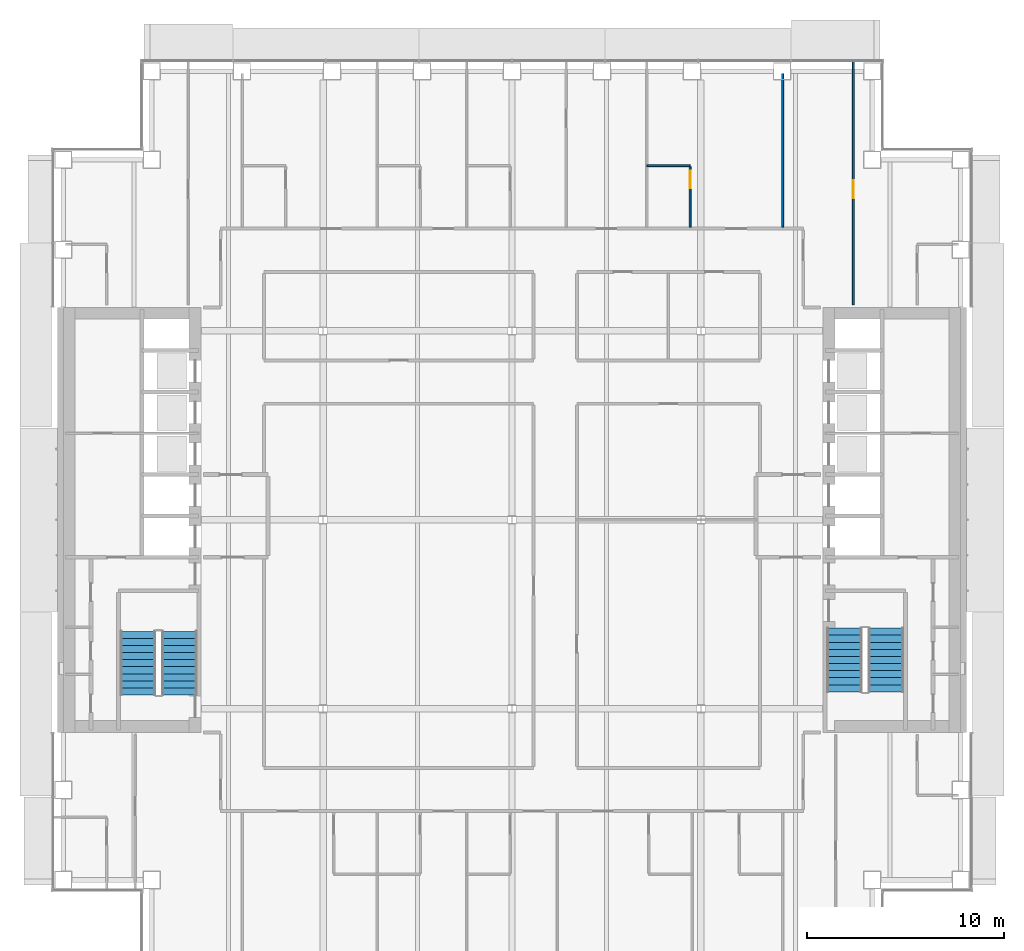
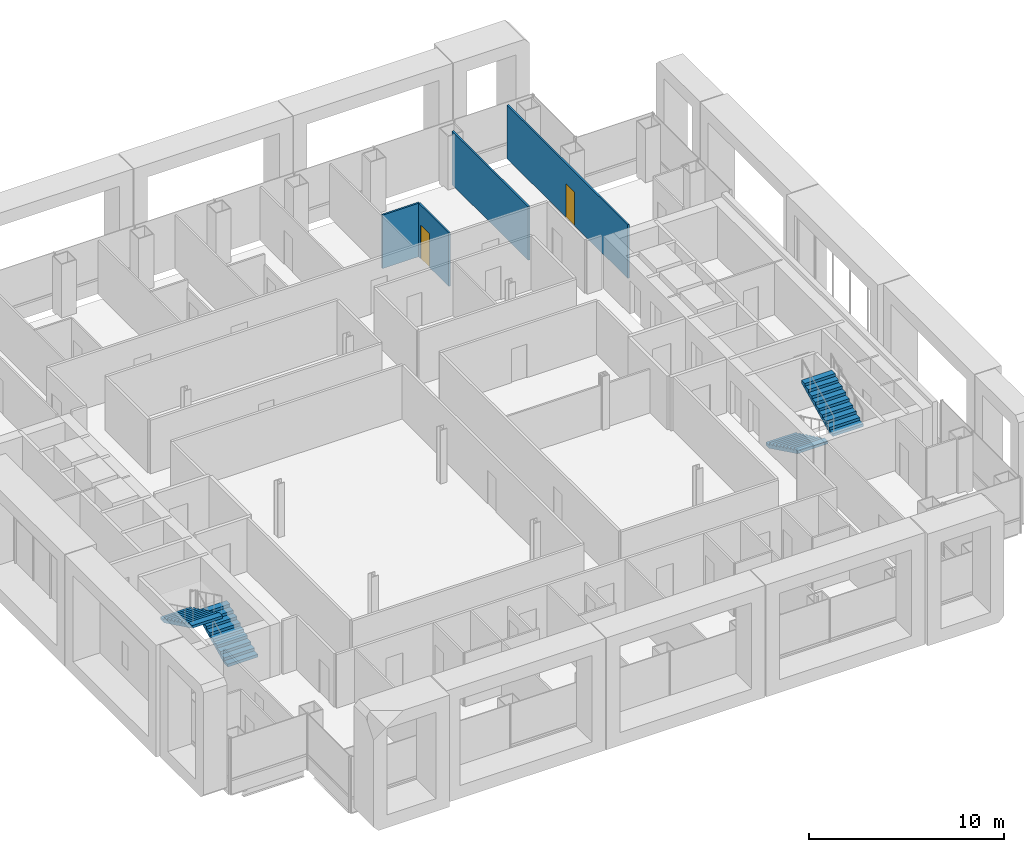
# One storey, part 14 of 20: 4 stair flights, 4 walls, 2 doors, 2 openings, 2 elements without a shape of their own.
"""IFC4 building model written with IfcOpenShell, lengths in metres."""

from ifc_helpers import new_model, si_unit, direction, frame, frame_2d, origin, place, context, subcontext, project, spatial, polyline, rectangle, outline, extrude, material, layer, layer_set, type_object, element, fill, aggregate, save


model = new_model("IFC4")

# Units and contexts
model_context = context("Model", 3, precision=1e-05, world=origin(), true_north=direction((0.0, 1.0)))
body_context = subcontext(model_context, "Body", "Model", "MODEL_VIEW")
ifc_project = project(units=[si_unit("LENGTHUNIT", "METRE"), si_unit("AREAUNIT", "SQUARE_METRE"), si_unit("VOLUMEUNIT", "CUBIC_METRE"), si_unit("PLANEANGLEUNIT", "RADIAN"), si_unit("MASSUNIT", "GRAM", prefix="KILO")], contexts=[model_context])

# Site, building, storey
site_placement = place(None, origin())
site = spatial("IfcSite", under=ifc_project, at=site_placement, CompositionType="ELEMENT")
building_placement = place(site_placement, origin())
building = spatial("IfcBuilding", under=site, at=building_placement, Name="Cobrizo Arcos Hotel Tower", CompositionType="ELEMENT")
storey_placement = place(building_placement, frame((0.0, 0.0, 96.0)))
storey = spatial("IfcBuildingStorey", under=building, at=storey_placement, Name="L23", CompositionType="ELEMENT", Elevation=96.0)

# Wall
ifc_material_1 = material(Name="Gypsum board partition")
ifc_layer = layer(ifc_material_1, 0.10009765625)
ifc_layer_set = layer_set([ifc_layer], Name="Partition EI 30 100")
wall_type = type_object("IfcWallType", Name="Partition EI 30 100", PredefinedType="PARTITIONING", material=ifc_layer_set)
wall_1_placement = place(storey_placement, frame((6.85009765625, 18.0, 0.0), z_axis=(0.0, 0.0, 1.0), x_axis=(1.0, 0.0, 0.0)))
element("IfcWall", 1, at=wall_1_placement, inside=storey, type_object=wall_type, Name="Partition 051", PredefinedType="PARTITIONING", context=body_context, shape_type="SweptSolid", body=[
    extrude(rectangle(XDim=2.199951171875, YDim=0.10009765625, at=frame_2d((1.10009765625, 0.0))), origin(), (0.0, 0.0, 1.0), 3.35009765625),
])

# Wall, opening, door
wall_2_placement = place(storey_placement, frame((9.050048828125, 14.875, 0.0), z_axis=(0.0, 0.0, 1.0), x_axis=(0.0, 1.0, 0.0)))
wall_2 = element("IfcWall", 2, at=wall_2_placement, inside=storey, type_object=wall_type, Name="Partition 088", PredefinedType="PARTITIONING", context=body_context, shape_type="SweptSolid", body=[
    extrude(rectangle(XDim=3.074951171875, YDim=0.10009765625, at=frame_2d((1.53759765625, 0.0))), origin(), (0.0, 0.0, 1.0), 3.35009765625),
])
opening_1_placement = place(wall_2_placement, frame((1.970947265625, 0.0, 0.0)))
opening_1 = element("IfcOpeningElement", 3, at=opening_1_placement, cuts=wall_2, Name="Opening ED-04", PredefinedType="OPENING", context=body_context, shape_type="SweptSolid", body=[
    extrude(rectangle(XDim=0.89990234375, YDim=2.10009765625, at=frame_2d((0.449951171875, 1.050048828125))), frame((0.0, 0.06201171875, 0.0), z_axis=(0.0, -1.0, 0.0), x_axis=(1.0, 0.0, 0.0)), (0.0, 0.0, 1.0), 0.1240234375),
])
ifc_material_2 = material(Name="Timber door leaf", Category="wood")
door_type_1 = type_object("IfcDoorType", Name="En-suite door 900x2100", OperationType="SINGLE_SWING_LEFT", PredefinedType="DOOR", material=ifc_material_2)
door_1_placement = place(opening_1_placement, origin())
door_1 = element("IfcDoor", 4, at=door_1_placement, inside=storey, type_object=door_type_1, Name="Door ED-04", OperationType="SINGLE_SWING_RIGHT", OverallHeight=2.10009765625, OverallWidth=0.89990234375, PredefinedType="DOOR", context=body_context, shape_type="SweptSolid", body=[
    extrude(rectangle(XDim=0.89990234375, YDim=2.10009765625, at=frame_2d((0.449951171875, 1.050048828125))), frame((0.0, 0.02490234375, 0.0), z_axis=(0.0, -1.0, 0.0), x_axis=(1.0, 0.0, 0.0)), (0.0, 0.0, 1.0), 0.050048828125),
])
fill(opening_1, door_1)

# Wall
wall_3_placement = place(storey_placement, frame((13.75, 14.875, 0.0), z_axis=(0.0, 0.0, 1.0), x_axis=(0.0, 1.0, 0.0)))
element("IfcWall", 5, at=wall_3_placement, inside=storey, type_object=wall_type, Name="Partition 096", PredefinedType="PARTITIONING", context=body_context, shape_type="SweptSolid", body=[
    extrude(rectangle(XDim=7.804931640625, YDim=0.10009765625, at=frame_2d((3.90234375, 0.0))), origin(), (0.0, 0.0, 1.0), 3.35009765625),
])

# Wall, opening, door
wall_4_placement = place(storey_placement, frame((17.35009765625, 10.919921875, 0.0), z_axis=(0.0, 0.0, 1.0), x_axis=(0.0, 1.0, 0.0)))
wall_4 = element("IfcWall", 6, at=wall_4_placement, inside=storey, type_object=wall_type, Name="Partition 100", PredefinedType="PARTITIONING", context=body_context, shape_type="SweptSolid", body=[
    extrude(rectangle(XDim=12.360107421875, YDim=0.10009765625, at=frame_2d((6.18017578125, 0.0))), origin(), (0.0, 0.0, 1.0), 3.35009765625),
])
opening_2_placement = place(wall_4_placement, frame((5.429931640625, 0.0, 0.0)))
opening_2 = element("IfcOpeningElement", 7, at=opening_2_placement, cuts=wall_4, Name="Opening RD-15", PredefinedType="OPENING", context=body_context, shape_type="SweptSolid", body=[
    extrude(rectangle(XDim=0.89990234375, YDim=2.10009765625, at=frame_2d((0.449951171875, 1.050048828125))), frame((0.0, 0.06201171875, 0.0), z_axis=(0.0, -1.0, 0.0), x_axis=(1.0, 0.0, 0.0)), (0.0, 0.0, 1.0), 0.1240234375),
])
door_type_2 = type_object("IfcDoorType", Name="Room door FD30 900x2100", OperationType="SINGLE_SWING_LEFT", PredefinedType="DOOR", material=ifc_material_2)
door_2_placement = place(opening_2_placement, origin())
door_2 = element("IfcDoor", 8, at=door_2_placement, inside=storey, type_object=door_type_2, Name="Door RD-15", OperationType="SINGLE_SWING_LEFT", OverallHeight=2.10009765625, OverallWidth=0.89990234375, PredefinedType="DOOR", context=body_context, shape_type="SweptSolid", body=[
    extrude(rectangle(XDim=0.89990234375, YDim=2.10009765625, at=frame_2d((0.449951171875, 1.050048828125))), frame((0.0, 0.02490234375, 0.0), z_axis=(0.0, -1.0, 0.0), x_axis=(1.0, 0.0, 0.0)), (0.0, 0.0, 1.0), 0.050048828125),
])
fill(opening_2, door_2)

# Stair, stair flights
ifc_material_3 = material(Name="Concrete f'c 40 MPa", Category="concrete")
stair_type = type_object("IfcStairType", Name="Exit stair", PredefinedType="HALF_TURN_STAIR", material=ifc_material_3)
stair_1_placement = place(storey_placement, origin())
stair_1 = element("IfcStair", 9, at=stair_1_placement, inside=storey, type_object=stair_type, Name="L23 Exit stair ST-W", PredefinedType="HALF_TURN_STAIR")
stair_flight_type = type_object("IfcStairFlightType", Name="Exit stair flight", PredefinedType="STRAIGHT", material=ifc_material_3)
stair_flight_1_placement = place(storey_placement, frame((-16.89990234375, -8.89990234375, 0.0), z_axis=(0.0, 0.0, 1.0), x_axis=(0.0, 1.0, 0.0)))
stair_flight_1 = element("IfcStairFlight", 10, at=stair_flight_1_placement, type_object=stair_flight_type, Name="ST-W flight 1", NumberOfRisers=10, NumberOfTreads=9, PredefinedType="STRAIGHT", RiserHeight=0.175, TreadLength=0.36, context=body_context, shape_type="SweptSolid", body=[
    extrude(outline(polyline([(0.0, 0.0), (0.0, 0.175048828125), (0.360107421875, 0.175048828125), (0.360107421875, 0.35009765625), (0.719970703125, 0.35009765625), (0.719970703125, 0.52490234375), (1.080078125, 0.52490234375), (1.080078125, 0.699951171875), (1.43994140625, 0.699951171875), (1.43994140625, 0.875), (1.800048828125, 0.875), (1.800048828125, 1.050048828125), (2.159912109375, 1.050048828125), (2.159912109375, 1.22509765625), (2.52001953125, 1.22509765625), (2.52001953125, 1.39990234375), (2.8798828125, 1.39990234375), (2.8798828125, 1.574951171875), (3.239990234375, 1.574951171875), (3.239990234375, 1.75), (3.239990234375, 1.408203125), (0.3427734375, 0.0), (0.0, 0.0)])), frame((0.0, 0.89990234375, 0.0), z_axis=(0.0, -1.0, 0.0), x_axis=(1.0, 0.0, 0.0)), (0.0, 0.0, 1.0), 1.800048828125),
])
stair_flight_2_placement = place(storey_placement, frame((-19.0, -5.659912109375, 1.75), z_axis=(0.0, 0.0, 1.0), x_axis=(0.0, -1.0, 0.0)))
stair_flight_2 = element("IfcStairFlight", 11, at=stair_flight_2_placement, type_object=stair_flight_type, Name="ST-W flight 2", NumberOfRisers=10, NumberOfTreads=9, PredefinedType="STRAIGHT", RiserHeight=0.175, TreadLength=0.36, context=body_context, shape_type="SweptSolid", body=[
    extrude(outline(polyline([(0.0, 0.0), (0.0, 0.175048828125), (0.360107421875, 0.175048828125), (0.360107421875, 0.35009765625), (0.719970703125, 0.35009765625), (0.719970703125, 0.52490234375), (1.080078125, 0.52490234375), (1.080078125, 0.699951171875), (1.43994140625, 0.699951171875), (1.43994140625, 0.875), (1.800048828125, 0.875), (1.800048828125, 1.050048828125), (2.159912109375, 1.050048828125), (2.159912109375, 1.22509765625), (2.52001953125, 1.22509765625), (2.52001953125, 1.39990234375), (2.8798828125, 1.39990234375), (2.8798828125, 1.574951171875), (3.239990234375, 1.574951171875), (3.239990234375, 1.75), (3.239990234375, 1.408203125), (0.3427734375, 0.0), (0.0, 0.0)])), frame((0.0, 0.89990234375, 0.0), z_axis=(0.0, -1.0, 0.0), x_axis=(1.0, 0.0, 0.0)), (0.0, 0.0, 1.0), 1.800048828125),
])
aggregate(stair_1, [stair_flight_1, stair_flight_2])

stair_2_placement = place(storey_placement, origin())
stair_2 = element("IfcStair", 12, at=stair_2_placement, inside=storey, type_object=stair_type, Name="L23 Exit stair ST-E", PredefinedType="HALF_TURN_STAIR")
stair_flight_3_placement = place(storey_placement, frame((16.89990234375, -5.5, 0.0), z_axis=(0.0, 0.0, 1.0), x_axis=(0.0, -1.0, 0.0)))
stair_flight_3 = element("IfcStairFlight", 13, at=stair_flight_3_placement, type_object=stair_flight_type, Name="ST-E flight 1", NumberOfRisers=10, NumberOfTreads=9, PredefinedType="STRAIGHT", RiserHeight=0.175, TreadLength=0.36, context=body_context, shape_type="SweptSolid", body=[
    extrude(outline(polyline([(0.0, 0.0), (0.0, 0.175048828125), (0.360107421875, 0.175048828125), (0.360107421875, 0.35009765625), (0.719970703125, 0.35009765625), (0.719970703125, 0.52490234375), (1.080078125, 0.52490234375), (1.080078125, 0.699951171875), (1.43994140625, 0.699951171875), (1.43994140625, 0.875), (1.800048828125, 0.875), (1.800048828125, 1.050048828125), (2.159912109375, 1.050048828125), (2.159912109375, 1.22509765625), (2.52001953125, 1.22509765625), (2.52001953125, 1.39990234375), (2.8798828125, 1.39990234375), (2.8798828125, 1.574951171875), (3.239990234375, 1.574951171875), (3.239990234375, 1.75), (3.239990234375, 1.408203125), (0.3427734375, 0.0), (0.0, 0.0)])), frame((0.0, 0.89990234375, 0.0), z_axis=(0.0, -1.0, 0.0), x_axis=(1.0, 0.0, 0.0)), (0.0, 0.0, 1.0), 1.800048828125),
])
stair_flight_4_placement = place(storey_placement, frame((19.0, -8.739990234375, 1.75), z_axis=(0.0, 0.0, 1.0), x_axis=(0.0, 1.0, 0.0)))
stair_flight_4 = element("IfcStairFlight", 14, at=stair_flight_4_placement, type_object=stair_flight_type, Name="ST-E flight 2", NumberOfRisers=10, NumberOfTreads=9, PredefinedType="STRAIGHT", RiserHeight=0.175, TreadLength=0.36, context=body_context, shape_type="SweptSolid", body=[
    extrude(outline(polyline([(0.0, 0.0), (0.0, 0.175048828125), (0.360107421875, 0.175048828125), (0.360107421875, 0.35009765625), (0.719970703125, 0.35009765625), (0.719970703125, 0.52490234375), (1.080078125, 0.52490234375), (1.080078125, 0.699951171875), (1.43994140625, 0.699951171875), (1.43994140625, 0.875), (1.800048828125, 0.875), (1.800048828125, 1.050048828125), (2.159912109375, 1.050048828125), (2.159912109375, 1.22509765625), (2.52001953125, 1.22509765625), (2.52001953125, 1.39990234375), (2.8798828125, 1.39990234375), (2.8798828125, 1.574951171875), (3.239990234375, 1.574951171875), (3.239990234375, 1.75), (3.239990234375, 1.408203125), (0.3427734375, 0.0), (0.0, 0.0)])), frame((0.0, 0.89990234375, 0.0), z_axis=(0.0, -1.0, 0.0), x_axis=(1.0, 0.0, 0.0)), (0.0, 0.0, 1.0), 1.800048828125),
])
aggregate(stair_2, [stair_flight_3, stair_flight_4])

save(model, "model.ifc")
